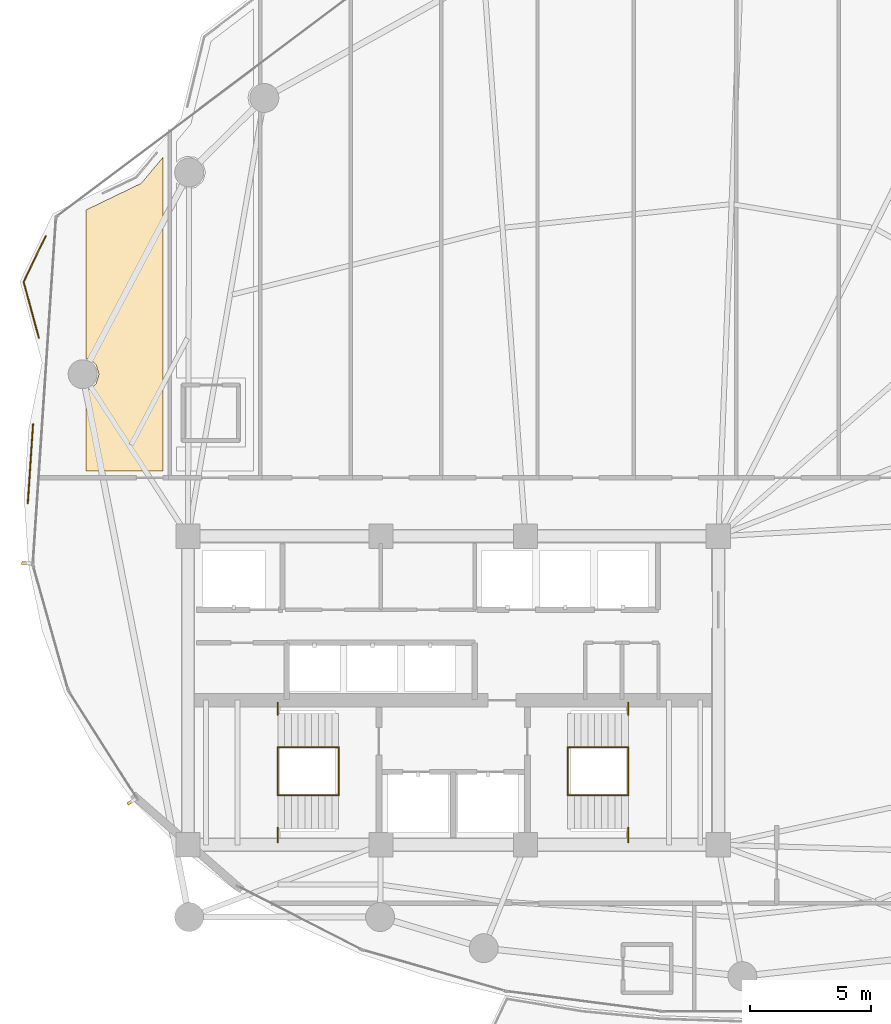
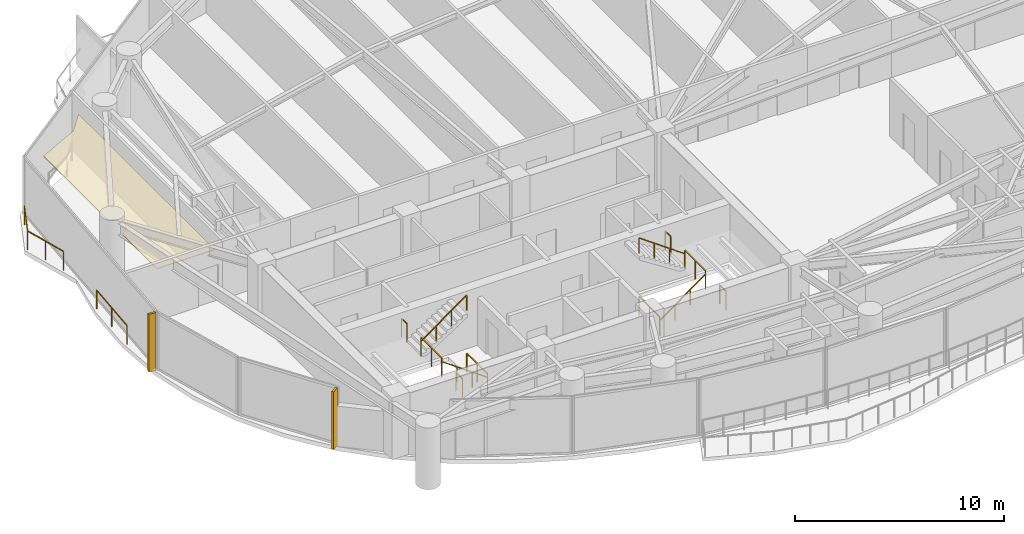
# One storey, part 29 of 31: 14 railings, 2 shading devices, 1 covering.
"""IFC4 building model written with IfcOpenShell, lengths in metres."""

from ifc_helpers import new_model, si_unit, direction, frame, origin, origin_2d, place, context, subcontext, project, spatial, polyline, rectangle, outline, extrude, material, layer, layer_set, type_object, element, save


model = new_model("IFC4")

# Units and contexts
model_context = context("Model", 3, precision=1e-05, world=origin(), true_north=direction((0.0, 1.0)))
body_context = subcontext(model_context, "Body", "Model", "MODEL_VIEW")
ifc_project = project(units=[si_unit("LENGTHUNIT", "METRE"), si_unit("AREAUNIT", "SQUARE_METRE"), si_unit("VOLUMEUNIT", "CUBIC_METRE"), si_unit("PLANEANGLEUNIT", "RADIAN"), si_unit("MASSUNIT", "GRAM", prefix="KILO")], contexts=[model_context])

# Site, building, storey
site_placement = place(None, origin())
site = spatial("IfcSite", under=ifc_project, at=site_placement, CompositionType="ELEMENT")
building_placement = place(site_placement, origin())
building = spatial("IfcBuilding", under=site, at=building_placement, Name="Kazevale Care Tower and Concert Hall", CompositionType="ELEMENT")
storey_placement = place(building_placement, frame((0.0, 0.0, 117.0)))
storey = spatial("IfcBuildingStorey", under=building, at=storey_placement, Name="L30", CompositionType="ELEMENT", Elevation=117.0)

# Covering
ifc_material_1 = material(Name="Acoustic Plaster and Hinoki Wood", Category="wood")
ifc_layer = layer(ifc_material_1, 0.0400390625)
ifc_layer_set = layer_set([ifc_layer], Name="Acoustic Plaster and Hinoki Wood")
covering_type = type_object("IfcCoveringType", Name="Acoustic Perforated Wood-Gypsum Ceiling", PredefinedType="CEILING", material=ifc_layer_set)
covering_placement = place(storey_placement, frame((0.0, 0.0, 2.7099609375)))
element("IfcCovering", 1, at=covering_placement, inside=storey, type_object=covering_type, Name="clg:L30:1", PredefinedType="CEILING", context=body_context, shape_type="SweptSolid", body=[
    extrude(outline(polyline([(20.055908203125, 51.035888671875), (20.969970703125, 52.125), (20.969970703125, 39.10498046875), (17.780029296875, 39.10498046875), (17.780029296875, 42.4580078125), (18.008056640625, 42.554931640625), (18.195068359375, 42.741943359375), (18.31005859375, 43.1201171875), (18.195068359375, 43.498046875), (18.008056640625, 43.68505859375), (17.780029296875, 43.781982421875), (17.780029296875, 49.93798828125), (20.055908203125, 51.035888671875)])), origin(), (0.0, 0.0, 1.0), 0.0400390625),
])

# Railings
ifc_material_2 = material(Name="Anodised Bronze Aluminium and Laminated Glass", Category="aluminium")
railing_type_1 = type_object("IfcRailingType", Name="Balcony and Terrace Balustrade 1120", PredefinedType="BALUSTRADE", material=ifc_material_2)
railing_1_placement = place(storey_placement, frame((15.35498046875, 37.77294921875, 0.0)))
element("IfcRailing", 2, at=railing_1_placement, inside=storey, type_object=railing_type_1, Name="rail:L30:perim:1", PredefinedType="BALUSTRADE", context=body_context, shape_type="SweptSolid", body=[
    extrude(rectangle(XDim=0.048095703125, YDim=0.048095703125, at=origin_2d()), frame((0.0, 0.0, 1.09619140625), z_axis=(0.066667660785, 0.997775236717, 0.0), x_axis=(-0.997775236717, 0.066667660785, 0.0)), (0.0, 0.0, 1.0), 3.270263671875),
    extrude(rectangle(XDim=0.0419921875, YDim=0.0419921875, at=origin_2d()), origin(), (0.0, 0.0, 1.0), 1.072021484375),
    extrude(rectangle(XDim=0.0419921875, YDim=0.0419921875, at=origin_2d()), frame((0.10888671875, 1.63134765625, 0.0)), (0.0, 0.0, 1.0), 1.072021484375),
    extrude(rectangle(XDim=0.0419921875, YDim=0.0419921875, at=origin_2d()), frame((0.218017578125, 3.262939453125, 0.0)), (0.0, 0.0, 1.0), 1.072021484375),
])
railing_2_placement = place(storey_placement, frame((15.81298828125, 44.631103515625, 0.0)))
element("IfcRailing", 3, at=railing_2_placement, inside=storey, type_object=railing_type_1, Name="rail:L30:perim:2", PredefinedType="BALUSTRADE", context=body_context, shape_type="SweptSolid", body=[
    extrude(rectangle(XDim=0.048095703125, YDim=0.048095703125, at=origin_2d()), frame((0.0, 0.0, 1.09619140625), z_axis=(-0.262679540439, 0.96488313232, 0.0), x_axis=(-0.96488313232, -0.262679540439, 0.0)), (0.0, 0.0, 1.0), 2.40625),
    extrude(rectangle(XDim=0.048095703125, YDim=0.048095703125, at=origin_2d()), frame((-0.632080078125, 2.32177734375, 1.09619140625), z_axis=(0.435530489305, 0.900173979232, 0.0), x_axis=(-0.900173979232, 0.435530489305, 0.0)), (0.0, 0.0, 1.0), 2.096435546875),
    extrude(rectangle(XDim=0.0419921875, YDim=0.0419921875, at=origin_2d()), origin(), (0.0, 0.0, 1.0), 1.072021484375),
    extrude(rectangle(XDim=0.0419921875, YDim=0.0419921875, at=origin_2d()), frame((-0.31591796875, 1.160888671875, 0.0)), (0.0, 0.0, 1.0), 1.072021484375),
    extrude(rectangle(XDim=0.0419921875, YDim=0.0419921875, at=origin_2d()), frame((-0.632080078125, 2.32177734375, 0.0)), (0.0, 0.0, 1.0), 1.072021484375),
    extrude(rectangle(XDim=0.0419921875, YDim=0.0419921875, at=origin_2d()), frame((0.281005859375, 4.208984375, 0.0)), (0.0, 0.0, 1.0), 1.072021484375),
])
ifc_material_3 = material(Name="Stainless Steel 316", Category="steel")
railing_type_2 = type_object("IfcRailingType", Name="Stair Pitch Handrail 920", PredefinedType="HANDRAIL", material=ifc_material_3)
railing_3_placement = place(storey_placement, frame((28.25, 25.659912109375, 0.0)))
element("IfcRailing", 4, at=railing_3_placement, inside=storey, type_object=railing_type_2, Name="stair:L30:ST1:hr1", PredefinedType="HANDRAIL", context=body_context, shape_type="SweptSolid", body=[
    extrude(rectangle(XDim=0.048095703125, YDim=0.048095703125, at=origin_2d()), frame((0.0, 0.0, 0.89599609375), z_axis=(-0.813728144527, 0.0, 0.581245650998), x_axis=(0.0, -1.0, 0.0)), (0.0, 0.0, 1.0), 3.096923828125),
    extrude(rectangle(XDim=0.0419921875, YDim=0.0419921875, at=origin_2d()), origin(), (0.0, 0.0, 1.0), 0.871826171875),
    extrude(rectangle(XDim=0.0419921875, YDim=0.0419921875, at=origin_2d()), frame((-0.840087890625, 0.0, 0.60009765625)), (0.0, 0.0, 1.0), 0.871826171875),
    extrude(rectangle(XDim=0.0419921875, YDim=0.0419921875, at=origin_2d()), frame((-1.679931640625, 0.0, 1.199951171875)), (0.0, 0.0, 1.0), 0.871826171875),
    extrude(rectangle(XDim=0.0419921875, YDim=0.0419921875, at=origin_2d()), frame((-2.52001953125, 0.0, 1.800048828125)), (0.0, 0.0, 1.0), 0.871826171875),
])
for number, where, name in (
    (5, (25.72998046875, 27.639892578125, 1.800048828125), "stair:L30:ST1:hr2"),
    (6, (37.75, 25.659912109375, 0.0), "stair:L30:ST2:hr1"),
):
    element("IfcRailing", number, at=place(storey_placement, frame(where)), inside=storey, type_object=railing_type_2, Name=name, PredefinedType="HANDRAIL", context=body_context, shape_type="SweptSolid", body=[
        extrude(rectangle(XDim=0.048095703125, YDim=0.048095703125, at=origin_2d()), frame((0.0, 0.0, 0.89599609375), z_axis=(0.813728144527, 0.0, 0.581245650998), x_axis=(0.0, 1.0, 0.0)), (0.0, 0.0, 1.0), 3.096923828125),
        extrude(rectangle(XDim=0.0419921875, YDim=0.0419921875, at=origin_2d()), origin(), (0.0, 0.0, 1.0), 0.871826171875),
        extrude(rectangle(XDim=0.0419921875, YDim=0.0419921875, at=origin_2d()), frame((0.840087890625, 0.0, 0.60009765625)), (0.0, 0.0, 1.0), 0.871826171875),
        extrude(rectangle(XDim=0.0419921875, YDim=0.0419921875, at=origin_2d()), frame((1.679931640625, 0.0, 1.199951171875)), (0.0, 0.0, 1.0), 0.871826171875),
        extrude(rectangle(XDim=0.0419921875, YDim=0.0419921875, at=origin_2d()), frame((2.52001953125, 0.0, 1.800048828125)), (0.0, 0.0, 1.0), 0.871826171875),
    ])
railing_4_placement = place(storey_placement, frame((40.27001953125, 27.639892578125, 1.800048828125)))
element("IfcRailing", 7, at=railing_4_placement, inside=storey, type_object=railing_type_2, Name="stair:L30:ST2:hr2", PredefinedType="HANDRAIL", context=body_context, shape_type="SweptSolid", body=[
    extrude(rectangle(XDim=0.048095703125, YDim=0.048095703125, at=origin_2d()), frame((0.0, 0.0, 0.89599609375), z_axis=(-0.813728144527, 0.0, 0.581245650998), x_axis=(0.0, -1.0, 0.0)), (0.0, 0.0, 1.0), 3.096923828125),
    extrude(rectangle(XDim=0.0419921875, YDim=0.0419921875, at=origin_2d()), origin(), (0.0, 0.0, 1.0), 0.871826171875),
    extrude(rectangle(XDim=0.0419921875, YDim=0.0419921875, at=origin_2d()), frame((-0.840087890625, 0.0, 0.60009765625)), (0.0, 0.0, 1.0), 0.871826171875),
    extrude(rectangle(XDim=0.0419921875, YDim=0.0419921875, at=origin_2d()), frame((-1.679931640625, 0.0, 1.199951171875)), (0.0, 0.0, 1.0), 0.871826171875),
    extrude(rectangle(XDim=0.0419921875, YDim=0.0419921875, at=origin_2d()), frame((-2.52001953125, 0.0, 1.800048828125)), (0.0, 0.0, 1.0), 0.871826171875),
])
railing_type_3 = type_object("IfcRailingType", Name="Stair Well Guard Balustrade 1120", PredefinedType="BALUSTRADE", material=ifc_material_3)
railing_5_placement = place(storey_placement, frame((25.72998046875, 23.699951171875, 1.800048828125)))
element("IfcRailing", 8, at=railing_5_placement, inside=storey, type_object=railing_type_3, Name="stair:L30:ST1:grd_side1", PredefinedType="BALUSTRADE", context=body_context, shape_type="SweptSolid", body=[
    extrude(rectangle(XDim=0.048095703125, YDim=0.048095703125, at=origin_2d()), frame((0.0, 0.0, 1.09619140625), z_axis=(0.0, 1.0, 0.0), x_axis=(-1.0, 0.0, 0.0)), (0.0, 0.0, 1.0), 0.610107421875),
    extrude(rectangle(XDim=0.0419921875, YDim=0.0419921875, at=origin_2d()), origin(), (0.0, 0.0, 1.0), 1.072021484375),
    extrude(rectangle(XDim=0.0419921875, YDim=0.0419921875, at=origin_2d()), frame((0.0, 0.610107421875, 0.0)), (0.0, 0.0, 1.0), 1.072021484375),
])
railing_6_placement = place(storey_placement, frame((25.72998046875, 28.989990234375, 1.800048828125)))
element("IfcRailing", 9, at=railing_6_placement, inside=storey, type_object=railing_type_3, Name="stair:L30:ST1:grd_side2", PredefinedType="BALUSTRADE", context=body_context, shape_type="SweptSolid", body=[
    extrude(rectangle(XDim=0.048095703125, YDim=0.048095703125, at=origin_2d()), frame((0.0, 0.0, 1.09619140625), z_axis=(0.0, 1.0, 0.0), x_axis=(-1.0, 0.0, 0.0)), (0.0, 0.0, 1.0), 0.510009765625),
    extrude(rectangle(XDim=0.0419921875, YDim=0.0419921875, at=origin_2d()), origin(), (0.0, 0.0, 1.0), 1.072021484375),
    extrude(rectangle(XDim=0.0419921875, YDim=0.0419921875, at=origin_2d()), frame((0.0, 0.510009765625, 0.0)), (0.0, 0.0, 1.0), 1.072021484375),
])
for number, where, name in (
    (10, (25.72998046875, 25.659912109375, 1.800048828125), "stair:L30:ST1:grd_mid"),
    (11, (28.25, 25.659912109375, 0.0), "stair:L30:ST1:grd_flr"),
):
    element("IfcRailing", number, at=place(storey_placement, frame(where)), inside=storey, type_object=railing_type_3, Name=name, PredefinedType="BALUSTRADE", context=body_context, shape_type="SweptSolid", body=[
        extrude(rectangle(XDim=0.048095703125, YDim=0.048095703125, at=origin_2d()), frame((0.0, 0.0, 1.09619140625), z_axis=(0.0, 1.0, 0.0), x_axis=(-1.0, 0.0, 0.0)), (0.0, 0.0, 1.0), 1.97998046875),
        extrude(rectangle(XDim=0.0419921875, YDim=0.0419921875, at=origin_2d()), origin(), (0.0, 0.0, 1.0), 1.072021484375),
        extrude(rectangle(XDim=0.0419921875, YDim=0.0419921875, at=origin_2d()), frame((0.0, 0.989990234375, 0.0)), (0.0, 0.0, 1.0), 1.072021484375),
        extrude(rectangle(XDim=0.0419921875, YDim=0.0419921875, at=origin_2d()), frame((0.0, 1.97998046875, 0.0)), (0.0, 0.0, 1.0), 1.072021484375),
    ])
railing_7_placement = place(storey_placement, frame((40.27001953125, 23.699951171875, 1.800048828125)))
element("IfcRailing", 12, at=railing_7_placement, inside=storey, type_object=railing_type_3, Name="stair:L30:ST2:grd_side1", PredefinedType="BALUSTRADE", context=body_context, shape_type="SweptSolid", body=[
    extrude(rectangle(XDim=0.048095703125, YDim=0.048095703125, at=origin_2d()), frame((0.0, 0.0, 1.09619140625), z_axis=(0.0, 1.0, 0.0), x_axis=(-1.0, 0.0, 0.0)), (0.0, 0.0, 1.0), 0.610107421875),
    extrude(rectangle(XDim=0.0419921875, YDim=0.0419921875, at=origin_2d()), origin(), (0.0, 0.0, 1.0), 1.072021484375),
    extrude(rectangle(XDim=0.0419921875, YDim=0.0419921875, at=origin_2d()), frame((0.0, 0.610107421875, 0.0)), (0.0, 0.0, 1.0), 1.072021484375),
])
railing_8_placement = place(storey_placement, frame((40.27001953125, 28.989990234375, 1.800048828125)))
element("IfcRailing", 13, at=railing_8_placement, inside=storey, type_object=railing_type_3, Name="stair:L30:ST2:grd_side2", PredefinedType="BALUSTRADE", context=body_context, shape_type="SweptSolid", body=[
    extrude(rectangle(XDim=0.048095703125, YDim=0.048095703125, at=origin_2d()), frame((0.0, 0.0, 1.09619140625), z_axis=(0.0, 1.0, 0.0), x_axis=(-1.0, 0.0, 0.0)), (0.0, 0.0, 1.0), 0.510009765625),
    extrude(rectangle(XDim=0.0419921875, YDim=0.0419921875, at=origin_2d()), origin(), (0.0, 0.0, 1.0), 1.072021484375),
    extrude(rectangle(XDim=0.0419921875, YDim=0.0419921875, at=origin_2d()), frame((0.0, 0.510009765625, 0.0)), (0.0, 0.0, 1.0), 1.072021484375),
])
for number, where, name in (
    (14, (40.27001953125, 25.659912109375, 1.800048828125), "stair:L30:ST2:grd_mid"),
    (15, (37.75, 25.659912109375, 0.0), "stair:L30:ST2:grd_flr"),
):
    element("IfcRailing", number, at=place(storey_placement, frame(where)), inside=storey, type_object=railing_type_3, Name=name, PredefinedType="BALUSTRADE", context=body_context, shape_type="SweptSolid", body=[
        extrude(rectangle(XDim=0.048095703125, YDim=0.048095703125, at=origin_2d()), frame((0.0, 0.0, 1.09619140625), z_axis=(0.0, 1.0, 0.0), x_axis=(-1.0, 0.0, 0.0)), (0.0, 0.0, 1.0), 1.97998046875),
        extrude(rectangle(XDim=0.0419921875, YDim=0.0419921875, at=origin_2d()), origin(), (0.0, 0.0, 1.0), 1.072021484375),
        extrude(rectangle(XDim=0.0419921875, YDim=0.0419921875, at=origin_2d()), frame((0.0, 0.989990234375, 0.0)), (0.0, 0.0, 1.0), 1.072021484375),
        extrude(rectangle(XDim=0.0419921875, YDim=0.0419921875, at=origin_2d()), frame((0.0, 1.97998046875, 0.0)), (0.0, 0.0, 1.0), 1.072021484375),
    ])

# Shading devices
ifc_material_4 = material(Name="Honed Ochre Limestone", Category="masonry")
shading_device_type = type_object("IfcShadingDeviceType", Name="Vertical Honed Limestone Fin FIN-01", PredefinedType="USERDEFINED", material=ifc_material_4)
for number, where, z_axis, x_axis, name in (
    (16, (19.649658203125, 25.387451171875, 0.0), (0.0, 0.0, 1.0), (-0.843391445813, -0.537299608347, 0.0), "cw:L30:f11:fin"),
    (17, (15.293212890625, 35.2802734375, 0.0), (0.0, 0.0, 1.0), (-0.997778273548, 0.066622194773, 0.0), "cw:L30:f13:fin"),
):
    element("IfcShadingDevice", number, at=place(storey_placement, frame(where, z_axis=z_axis, x_axis=x_axis)), inside=storey, type_object=shading_device_type, Name=name, ObjectType="FIN", PredefinedType="USERDEFINED", context=body_context, shape_type="SweptSolid", body=[
        extrude(rectangle(XDim=0.3798828125, YDim=0.1201171875, at=origin_2d()), origin(), (0.0, 0.0, 1.0), 3.360107421875),
    ])

save(model, "model.ifc")
